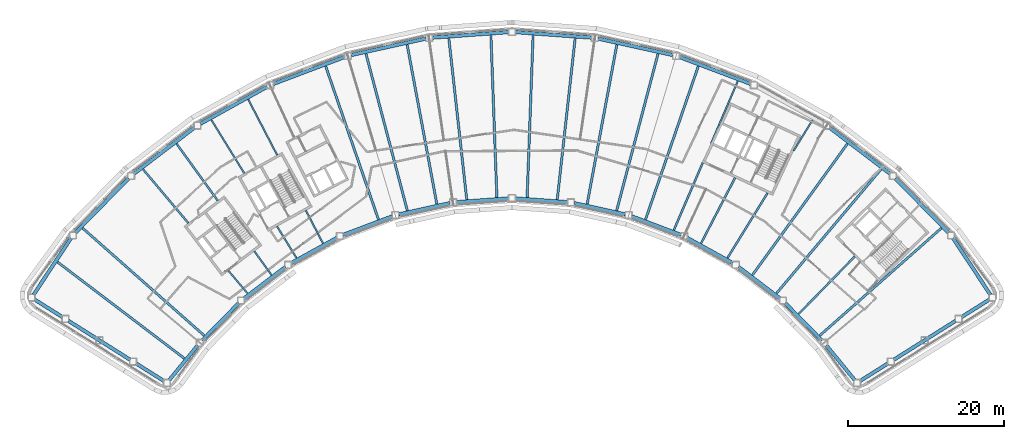
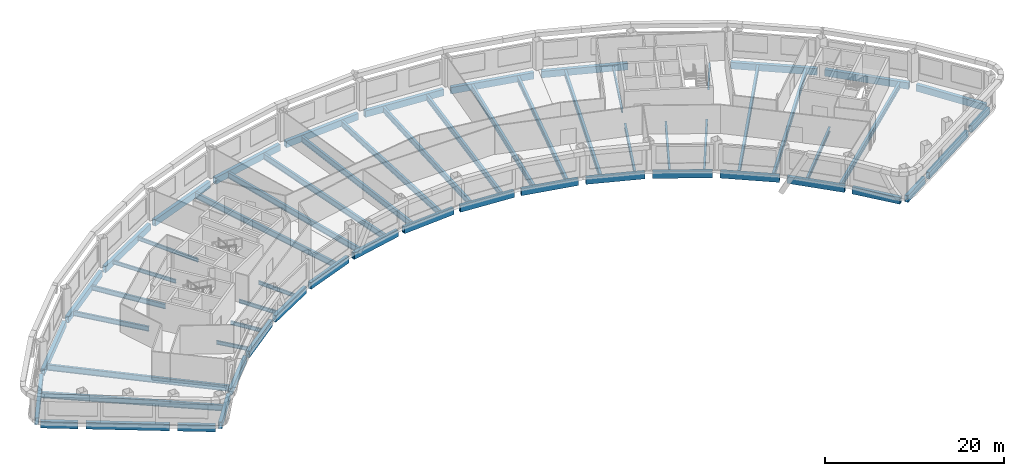
# One storey, part 3 of 12: 62 beams.
"""IFC4 building model written with IfcOpenShell, lengths in metres."""

from ifc_helpers import new_model, si_unit, direction, frame, origin, origin_2d, place, context, subcontext, project, spatial, hollow_rectangle, i_section, extrude, material, material_profile, profile_set, type_object, element, save


model = new_model("IFC4")

# Units and contexts
model_context = context("Model", 3, precision=1e-05, world=origin(), true_north=direction((0.0, 1.0)))
body_context = subcontext(model_context, "Body", "Model", "MODEL_VIEW")
ifc_project = project(units=[si_unit("LENGTHUNIT", "METRE"), si_unit("AREAUNIT", "SQUARE_METRE"), si_unit("VOLUMEUNIT", "CUBIC_METRE"), si_unit("PLANEANGLEUNIT", "RADIAN"), si_unit("MASSUNIT", "GRAM", prefix="KILO")], contexts=[model_context])

# Site, building, storey
site_placement = place(None, origin())
site = spatial("IfcSite", under=ifc_project, at=site_placement, CompositionType="ELEMENT")
building_placement = place(site_placement, origin())
building = spatial("IfcBuilding", under=site, at=building_placement, Name="Tuul Gate Civic Tower", CompositionType="ELEMENT")
storey_placement = place(building_placement, frame((0.0, 0.0, 176.300048828125)))
storey = spatial("IfcBuildingStorey", under=building, at=storey_placement, Name="Level 40", CompositionType="ELEMENT", Elevation=176.300048828125)

# Beams
ifc_material_1 = material(Name="Steel S355", Category="steel")
ifc_material_profile_1 = material_profile(ifc_material_1, i_section(OverallWidth=0.199951171875, OverallDepth=0.5, WebThickness=0.010009765625, FlangeThickness=0.01611328125, at=origin_2d()), Name="PG500x200x10x16")
ifc_profile_set_1 = profile_set([ifc_material_profile_1], Name="Steel S355")
beam_type_1 = type_object("IfcBeamType", Name="STR-FLOOR BEAM-PG500x200x10x16", PredefinedType="BEAM", material=ifc_profile_set_1)
beam_1_placement = place(storey_placement, frame((37.12646484375, -1.677734375, -0.650146484375), z_axis=(0.524844644299, 0.85119803768, 0.0), x_axis=(-0.85119803768, 0.524844644299, 0.0)))
element("IfcBeam", 1, at=beam_1_placement, inside=storey, type_object=beam_type_1, Name="Floor beam", PredefinedType="BEAM", context=body_context, shape_type="SweptSolid", body=[
    extrude(i_section(OverallWidth=0.199951171875, OverallDepth=0.5, WebThickness=0.010009765625, FlangeThickness=0.01611328125, at=origin_2d()), origin(), (0.0, 0.0, 1.0), 4.683837890625),
])
beam_2_placement = place(storey_placement, frame((26.525390625, -0.75048828125, -0.650146484375), z_axis=(0.394205580746, 0.919022284882, 0.0), x_axis=(-0.919022284882, 0.394205580746, 0.0)))
element("IfcBeam", 2, at=beam_2_placement, inside=storey, type_object=beam_type_1, Name="Floor beam", PredefinedType="BEAM", context=body_context, shape_type="SweptSolid", body=[
    extrude(i_section(OverallWidth=0.199951171875, OverallDepth=0.5, WebThickness=0.010009765625, FlangeThickness=0.01611328125, at=origin_2d()), origin(), (0.0, 0.0, 1.0), 8.748046875),
])
beam_3_placement = place(storey_placement, frame((-23.281494140625, -13.532958984375, -0.650146484375), z_axis=(-0.460788847224, 0.887509796157, 0.0), x_axis=(-0.887509796157, -0.460788847224, 0.0)))
element("IfcBeam", 3, at=beam_3_placement, inside=storey, type_object=beam_type_1, Name="Floor beam", PredefinedType="BEAM", context=body_context, shape_type="SweptSolid", body=[
    extrude(i_section(OverallWidth=0.199951171875, OverallDepth=0.5, WebThickness=0.010009765625, FlangeThickness=0.01611328125, at=origin_2d()), origin(), (0.0, 0.0, 1.0), 4.75830078125),
])
beam_4_placement = place(storey_placement, frame((-29.16162109375, -2.207275390625, -0.650146484375), z_axis=(-0.460778504814, 0.887515165787, 0.0), x_axis=(-0.887515165787, -0.460778504814, 0.0)))
element("IfcBeam", 4, at=beam_4_placement, inside=storey, type_object=beam_type_1, Name="Floor beam", PredefinedType="BEAM", context=body_context, shape_type="SweptSolid", body=[
    extrude(i_section(OverallWidth=0.199951171875, OverallDepth=0.5, WebThickness=0.010009765625, FlangeThickness=0.01611328125, at=origin_2d()), origin(), (0.0, 0.0, 1.0), 8.046630859375),
])
beam_5_placement = place(storey_placement, frame((-26.676513671875, -15.414306640625, -0.650146484375), z_axis=(-0.524841029393, 0.851200266603, 0.0), x_axis=(-0.851200266603, -0.524841029393, 0.0)))
element("IfcBeam", 5, at=beam_5_placement, inside=storey, type_object=beam_type_1, Name="Floor beam", PredefinedType="BEAM", context=body_context, shape_type="SweptSolid", body=[
    extrude(i_section(OverallWidth=0.199951171875, OverallDepth=0.5, WebThickness=0.010009765625, FlangeThickness=0.01611328125, at=origin_2d()), origin(), (0.0, 0.0, 1.0), 4.761474609375),
])
beam_6_placement = place(storey_placement, frame((-33.378662109375, -4.544677734375, -0.650146484375), z_axis=(-0.52487369229, 0.851180126143, 0.0), x_axis=(-0.851180126143, -0.52487369229, 0.0)))
element("IfcBeam", 6, at=beam_6_placement, inside=storey, type_object=beam_type_1, Name="Floor beam", PredefinedType="BEAM", context=body_context, shape_type="SweptSolid", body=[
    extrude(i_section(OverallWidth=0.199951171875, OverallDepth=0.5, WebThickness=0.010009765625, FlangeThickness=0.01611328125, at=origin_2d()), origin(), (0.0, 0.0, 1.0), 8.052001953125),
])
beam_7_placement = place(storey_placement, frame((-29.880126953125, -17.60546875, -0.650146484375), z_axis=(-0.586071028006, 0.810259680678, 0.0), x_axis=(-0.810259680678, -0.586071028006, 0.0)))
element("IfcBeam", 7, at=beam_7_placement, inside=storey, type_object=beam_type_1, Name="Floor beam", PredefinedType="BEAM", context=body_context, shape_type="SweptSolid", body=[
    extrude(i_section(OverallWidth=0.199951171875, OverallDepth=0.5, WebThickness=0.010009765625, FlangeThickness=0.01611328125, at=origin_2d()), origin(), (0.0, 0.0, 1.0), 3.776611328125),
])
beam_8_placement = place(storey_placement, frame((-32.96826171875, -19.95703125, -0.650146484375), z_axis=(-0.644139723265, 0.764907848641, 0.0), x_axis=(-0.764907848641, -0.644139723265, 0.0)))
element("IfcBeam", 8, at=beam_8_placement, inside=storey, type_object=beam_type_1, Name="Floor beam", PredefinedType="BEAM", context=body_context, shape_type="SweptSolid", body=[
    extrude(i_section(OverallWidth=0.199951171875, OverallDepth=0.5, WebThickness=0.010009765625, FlangeThickness=0.01611328125, at=origin_2d()), origin(), (0.0, 0.0, 1.0), 3.7802734375),
])
ifc_material_2 = material(Name="Steel S355", Category="steel")
ifc_material_profile_2 = material_profile(ifc_material_2, i_section(OverallWidth=0.25, OverallDepth=0.64990234375, WebThickness=0.011962890625, FlangeThickness=0.02001953125, at=origin_2d()), Name="PG650x250x12x20")
ifc_profile_set_2 = profile_set([ifc_material_profile_2], Name="Steel S355")
beam_type_2 = type_object("IfcBeamType", Name="STR-FLOOR BEAM-PG650x250x12x20", PredefinedType="BEAM", material=ifc_profile_set_2)
beam_9_placement = place(storey_placement, frame((37.78857421875, -22.6025390625, -0.72509765625), z_axis=(0.698688167973, 0.715426337182, 0.0), x_axis=(-0.715426337182, 0.698688167973, 0.0)))
element("IfcBeam", 9, at=beam_9_placement, inside=storey, type_object=beam_type_2, Name="Floor beam", PredefinedType="BEAM", context=body_context, shape_type="SweptSolid", body=[
    extrude(i_section(OverallWidth=0.25, OverallDepth=0.64990234375, WebThickness=0.011962890625, FlangeThickness=0.02001953125, at=origin_2d()), origin(), (0.0, 0.0, 1.0), 10.297607421875),
])
beam_10_placement = place(storey_placement, frame((28.656005859375, -15.41455078125, -0.72509765625), z_axis=(0.524868843882, 0.851183115858, 0.0), x_axis=(-0.851183115858, 0.524868843882, 0.0)))
element("IfcBeam", 10, at=beam_10_placement, inside=storey, type_object=beam_type_2, Name="Floor beam", PredefinedType="BEAM", context=body_context, shape_type="SweptSolid", body=[
    extrude(i_section(OverallWidth=0.25, OverallDepth=0.64990234375, WebThickness=0.011962890625, FlangeThickness=0.02001953125, at=origin_2d()), origin(), (0.0, 0.0, 1.0), 9.79736328125),
])
beam_11_placement = place(storey_placement, frame((25.261474609375, -13.532958984375, -0.72509765625), z_axis=(0.460764890878, 0.887522233713, 0.0), x_axis=(-0.887522233713, 0.460764890878, 0.0)))
element("IfcBeam", 11, at=beam_11_placement, inside=storey, type_object=beam_type_2, Name="Floor beam", PredefinedType="BEAM", context=body_context, shape_type="SweptSolid", body=[
    extrude(i_section(OverallWidth=0.25, OverallDepth=0.64990234375, WebThickness=0.011962890625, FlangeThickness=0.02001953125, at=origin_2d()), origin(), (0.0, 0.0, 1.0), 9.46923828125),
])
beam_12_placement = place(storey_placement, frame((21.7666015625, -11.84521484375, -0.72509765625), z_axis=(0.394179109601, 0.919033638968, 0.0), x_axis=(-0.919033638968, 0.394179109601, 0.0)))
element("IfcBeam", 12, at=beam_12_placement, inside=storey, type_object=beam_type_2, Name="Floor beam", PredefinedType="BEAM", context=body_context, shape_type="SweptSolid", body=[
    extrude(i_section(OverallWidth=0.25, OverallDepth=0.64990234375, WebThickness=0.011962890625, FlangeThickness=0.02001953125, at=origin_2d()), origin(), (0.0, 0.0, 1.0), 9.41259765625),
])
beam_13_placement = place(storey_placement, frame((-36.783447265625, -8.061767578125, -0.72509765625), z_axis=(-0.586088809685, 0.810246818668, 0.0), x_axis=(-0.810246818668, -0.586088809685, 0.0)))
element("IfcBeam", 13, at=beam_13_placement, inside=storey, type_object=beam_type_2, Name="Floor beam", PredefinedType="BEAM", context=body_context, shape_type="SweptSolid", body=[
    extrude(i_section(OverallWidth=0.25, OverallDepth=0.64990234375, WebThickness=0.011962890625, FlangeThickness=0.02001953125, at=origin_2d()), origin(), (0.0, 0.0, 1.0), 9.02685546875),
])
beam_14_placement = place(storey_placement, frame((-40.5625, -10.93896484375, -0.72509765625), z_axis=(-0.644130753202, 0.764915402368, 0.0), x_axis=(-0.764915402368, -0.644130753202, 0.0)))
element("IfcBeam", 14, at=beam_14_placement, inside=storey, type_object=beam_type_2, Name="Floor beam", PredefinedType="BEAM", context=body_context, shape_type="SweptSolid", body=[
    extrude(i_section(OverallWidth=0.25, OverallDepth=0.64990234375, WebThickness=0.011962890625, FlangeThickness=0.02001953125, at=origin_2d()), origin(), (0.0, 0.0, 1.0), 9.03515625),
])
ifc_material_3 = material(Name="Steel S355", Category="steel")
ifc_material_profile_3 = material_profile(ifc_material_3, i_section(OverallWidth=0.300048828125, OverallDepth=0.800048828125, WebThickness=0.013916015625, FlangeThickness=0.02490234375, at=origin_2d()), Name="PG800x300x14x25")
ifc_profile_set_3 = profile_set([ifc_material_profile_3], Name="Steel S355")
beam_type_3 = type_object("IfcBeamType", Name="STR-FLOOR BEAM-PG800x300x14x25", PredefinedType="BEAM", material=ifc_profile_set_3)
beam_15_placement = place(storey_placement, frame((40.505615234375, -25.375, -0.800048828125), z_axis=(0.749453243269, 0.662057275584, 0.0), x_axis=(-0.662057275584, 0.749453243269, 0.0)))
element("IfcBeam", 15, at=beam_15_placement, inside=storey, type_object=beam_type_3, Name="Floor beam", PredefinedType="BEAM", context=body_context, shape_type="SweptSolid", body=[
    extrude(i_section(OverallWidth=0.300048828125, OverallDepth=0.800048828125, WebThickness=0.013916015625, FlangeThickness=0.02490234375, at=origin_2d()), origin(), (0.0, 0.0, 1.0), 20.828369140625),
])
beam_16_placement = place(storey_placement, frame((34.9482421875, -19.95703125, -0.800048828125), z_axis=(0.644134662718, 0.76491211017, 0.0), x_axis=(-0.76491211017, 0.644134662718, 0.0)))
element("IfcBeam", 16, at=beam_16_placement, inside=storey, type_object=beam_type_3, Name="Floor beam", PredefinedType="BEAM", context=body_context, shape_type="SweptSolid", body=[
    extrude(i_section(OverallWidth=0.300048828125, OverallDepth=0.800048828125, WebThickness=0.013916015625, FlangeThickness=0.02490234375, at=origin_2d()), origin(), (0.0, 0.0, 1.0), 20.824462890625),
])
beam_17_placement = place(storey_placement, frame((31.859619140625, -17.605712890625, -0.800048828125), z_axis=(0.586088482084, 0.810247055637, 0.0), x_axis=(-0.810247055637, 0.586088482084, 0.0)))
element("IfcBeam", 17, at=beam_17_placement, inside=storey, type_object=beam_type_3, Name="Floor beam", PredefinedType="BEAM", context=body_context, shape_type="SweptSolid", body=[
    extrude(i_section(OverallWidth=0.300048828125, OverallDepth=0.800048828125, WebThickness=0.013916015625, FlangeThickness=0.02490234375, at=origin_2d()), origin(), (0.0, 0.0, 1.0), 20.805908203125),
])
beam_18_placement = place(storey_placement, frame((18.13623046875, -10.472412109375, -0.800048828125), z_axis=(0.325483363772, 0.945547767121, 0.0), x_axis=(-0.945547767121, 0.325483363772, 0.0)))
element("IfcBeam", 18, at=beam_18_placement, inside=storey, type_object=beam_type_3, Name="Floor beam", PredefinedType="BEAM", context=body_context, shape_type="SweptSolid", body=[
    extrude(i_section(OverallWidth=0.300048828125, OverallDepth=0.800048828125, WebThickness=0.013916015625, FlangeThickness=0.02490234375, at=origin_2d()), origin(), (0.0, 0.0, 1.0), 20.8095703125),
])
beam_19_placement = place(storey_placement, frame((14.428466796875, -9.325927734375, -0.800048828125), z_axis=(0.255004720301, 0.96693980817, 0.0), x_axis=(-0.96693980817, 0.255004720301, 0.0)))
element("IfcBeam", 19, at=beam_19_placement, inside=storey, type_object=beam_type_3, Name="Floor beam", PredefinedType="BEAM", context=body_context, shape_type="SweptSolid", body=[
    extrude(i_section(OverallWidth=0.300048828125, OverallDepth=0.800048828125, WebThickness=0.013916015625, FlangeThickness=0.02490234375, at=origin_2d()), origin(), (0.0, 0.0, 1.0), 20.817626953125),
])
beam_20_placement = place(storey_placement, frame((10.638427734375, -8.49072265625, -0.800048828125), z_axis=(0.183147342328, 0.98308547492, 0.0), x_axis=(-0.98308547492, 0.183147342328, 0.0)))
element("IfcBeam", 20, at=beam_20_placement, inside=storey, type_object=beam_type_3, Name="Floor beam", PredefinedType="BEAM", context=body_context, shape_type="SweptSolid", body=[
    extrude(i_section(OverallWidth=0.300048828125, OverallDepth=0.800048828125, WebThickness=0.013916015625, FlangeThickness=0.02490234375, at=origin_2d()), origin(), (0.0, 0.0, 1.0), 20.811279296875),
])
beam_21_placement = place(storey_placement, frame((6.80126953125, -7.91064453125, -0.800048828125), z_axis=(0.1102757583, 0.993901029847, 0.0), x_axis=(-0.993901029847, 0.1102757583, 0.0)))
element("IfcBeam", 21, at=beam_21_placement, inside=storey, type_object=beam_type_3, Name="Floor beam", PredefinedType="BEAM", context=body_context, shape_type="SweptSolid", body=[
    extrude(i_section(OverallWidth=0.300048828125, OverallDepth=0.800048828125, WebThickness=0.013916015625, FlangeThickness=0.02490234375, at=origin_2d()), origin(), (0.0, 0.0, 1.0), 20.815185546875),
])
for number, where, z_axis, x_axis, name in (
    (22, (2.930419921875, -7.630126953125, -0.800048828125), (0.036820332995, 0.99932190163, 0.0), (-0.99932190163, 0.036820332995, 0.0), "Floor beam"),
    (23, (-0.950439453125, -7.630126953125, -0.800048828125), (-0.036832047042, 0.999321469954, 0.0), (-0.999321469954, -0.036832047042, 0.0), "Floor beam"),
):
    element("IfcBeam", number, at=place(storey_placement, frame(where, z_axis=z_axis, x_axis=x_axis)), inside=storey, type_object=beam_type_3, Name=name, PredefinedType="BEAM", context=body_context, shape_type="SweptSolid", body=[
        extrude(i_section(OverallWidth=0.300048828125, OverallDepth=0.800048828125, WebThickness=0.013916015625, FlangeThickness=0.02490234375, at=origin_2d()), origin(), (0.0, 0.0, 1.0), 20.8134765625),
    ])
beam_22_placement = place(storey_placement, frame((-4.8212890625, -7.91064453125, -0.800048828125), z_axis=(-0.110287344613, 0.993899744249, 0.0), x_axis=(-0.993899744249, -0.110287344613, 0.0)))
element("IfcBeam", 24, at=beam_22_placement, inside=storey, type_object=beam_type_3, Name="Floor beam", PredefinedType="BEAM", context=body_context, shape_type="SweptSolid", body=[
    extrude(i_section(OverallWidth=0.300048828125, OverallDepth=0.800048828125, WebThickness=0.013916015625, FlangeThickness=0.02490234375, at=origin_2d()), origin(), (0.0, 0.0, 1.0), 20.815185546875),
])
beam_23_placement = place(storey_placement, frame((-8.658447265625, -8.49072265625, -0.800048828125), z_axis=(-0.183145230157, 0.983085868412, 0.0), x_axis=(-0.983085868412, -0.183145230157, 0.0)))
element("IfcBeam", 25, at=beam_23_placement, inside=storey, type_object=beam_type_3, Name="Floor beam", PredefinedType="BEAM", context=body_context, shape_type="SweptSolid", body=[
    extrude(i_section(OverallWidth=0.300048828125, OverallDepth=0.800048828125, WebThickness=0.013916015625, FlangeThickness=0.02490234375, at=origin_2d()), origin(), (0.0, 0.0, 1.0), 20.8115234375),
])
beam_24_placement = place(storey_placement, frame((-12.44873046875, -9.325927734375, -0.800048828125), z_axis=(-0.255004720301, 0.96693980817, 0.0), x_axis=(-0.96693980817, -0.255004720301, 0.0)))
element("IfcBeam", 26, at=beam_24_placement, inside=storey, type_object=beam_type_3, Name="Floor beam", PredefinedType="BEAM", context=body_context, shape_type="SweptSolid", body=[
    extrude(i_section(OverallWidth=0.300048828125, OverallDepth=0.800048828125, WebThickness=0.013916015625, FlangeThickness=0.02490234375, at=origin_2d()), origin(), (0.0, 0.0, 1.0), 20.817626953125),
])
beam_25_placement = place(storey_placement, frame((-16.15625, -10.47265625, -0.800048828125), z_axis=(-0.325493852911, 0.945544156408, 0.0), x_axis=(-0.945544156408, -0.325493852911, 0.0)))
element("IfcBeam", 27, at=beam_25_placement, inside=storey, type_object=beam_type_3, Name="Floor beam", PredefinedType="BEAM", context=body_context, shape_type="SweptSolid", body=[
    extrude(i_section(OverallWidth=0.300048828125, OverallDepth=0.800048828125, WebThickness=0.013916015625, FlangeThickness=0.02490234375, at=origin_2d()), origin(), (0.0, 0.0, 1.0), 20.809814453125),
])
beam_26_placement = place(storey_placement, frame((-38.525634765625, -25.375, -0.800048828125), z_axis=(-0.749453243269, 0.662057275584, 0.0), x_axis=(-0.662057275584, -0.749453243269, 0.0)))
element("IfcBeam", 28, at=beam_26_placement, inside=storey, type_object=beam_type_3, Name="Floor beam", PredefinedType="BEAM", context=body_context, shape_type="SweptSolid", body=[
    extrude(i_section(OverallWidth=0.300048828125, OverallDepth=0.800048828125, WebThickness=0.013916015625, FlangeThickness=0.02490234375, at=origin_2d()), origin(), (0.0, 0.0, 1.0), 20.828369140625),
])
beam_27_placement = place(storey_placement, frame((-41.064697265625, -28.31982421875, -0.800048828125), z_axis=(-0.796156676215, 0.60509052787, 0.0), x_axis=(-0.60509052787, -0.796156676215, 0.0)))
element("IfcBeam", 29, at=beam_27_placement, inside=storey, type_object=beam_type_3, Name="Floor beam", PredefinedType="BEAM", context=body_context, shape_type="SweptSolid", body=[
    extrude(i_section(OverallWidth=0.300048828125, OverallDepth=0.800048828125, WebThickness=0.013916015625, FlangeThickness=0.02490234375, at=origin_2d()), origin(), (0.0, 0.0, 1.0), 20.46240234375),
])
ifc_material_4 = material(Name="Steel S355", Category="steel")
ifc_material_profile_4 = material_profile(ifc_material_4, hollow_rectangle(XDim=0.449951171875, YDim=0.89990234375, WallThickness=0.02490234375, at=origin_2d()), Name="BOX900x450x25")
ifc_profile_set_4 = profile_set([ifc_material_profile_4], Name="Steel S355")
beam_type_4 = type_object("IfcBeamType", Name="STR-SPANDREL BEAM-BOX900x450x25", PredefinedType="BEAM", material=ifc_profile_set_4)
beam_28_placement = place(storey_placement, frame((62.412841796875, -20.1376953125, -0.85009765625), z_axis=(-0.551603333342, 0.834106565521, 0.0), x_axis=(-0.834106565521, -0.551603333342, 0.0)))
element("IfcBeam", 30, at=beam_28_placement, inside=storey, type_object=beam_type_4, Name="Spandrel beam", PredefinedType="BEAM", context=body_context, shape_type="SweptSolid", body=[
    extrude(hollow_rectangle(XDim=0.449951171875, YDim=0.89990234375, WallThickness=0.02490234375, at=origin_2d()), origin(), (0.0, 0.0, 1.0), 8.706787109375),
])
beam_29_placement = place(storey_placement, frame((57.046875, -12.1787109375, -0.85009765625), z_axis=(-0.700043201451, 0.7141004944, 0.0), x_axis=(-0.7141004944, -0.700043201451, 0.0)))
element("IfcBeam", 31, at=beam_29_placement, inside=storey, type_object=beam_type_4, Name="Spandrel beam", PredefinedType="BEAM", context=body_context, shape_type="SweptSolid", body=[
    extrude(hollow_rectangle(XDim=0.449951171875, YDim=0.89990234375, WallThickness=0.02490234375, at=origin_2d()), origin(), (0.0, 0.0, 1.0), 9.77783203125),
])
beam_30_placement = place(storey_placement, frame((49.529052734375, -4.602294921875, -0.85009765625), z_axis=(-0.795643188576, 0.605765562303, 0.0), x_axis=(-0.605765562303, -0.795643188576, 0.0)))
element("IfcBeam", 32, at=beam_30_placement, inside=storey, type_object=beam_type_4, Name="Spandrel beam", PredefinedType="BEAM", context=body_context, shape_type="SweptSolid", body=[
    extrude(hollow_rectangle(XDim=0.449951171875, YDim=0.89990234375, WallThickness=0.02490234375, at=origin_2d()), origin(), (0.0, 0.0, 1.0), 9.777099609375),
])
beam_31_placement = place(storey_placement, frame((31.633056640625, 6.92919921875, -0.85009765625), z_axis=(-0.935371339929, 0.353667154878, 0.0), x_axis=(-0.353667154878, -0.935371339929, 0.0)))
element("IfcBeam", 33, at=beam_31_placement, inside=storey, type_object=beam_type_4, Name="Spandrel beam", PredefinedType="BEAM", context=body_context, shape_type="SweptSolid", body=[
    extrude(hollow_rectangle(XDim=0.449951171875, YDim=0.89990234375, WallThickness=0.02490234375, at=origin_2d()), origin(), (0.0, 0.0, 1.0), 9.77685546875),
])
beam_32_placement = place(storey_placement, frame((21.62744140625, 10.642822265625, -0.85009765625), z_axis=(-0.976570324129, 0.215198517722, 0.0), x_axis=(-0.215198517722, -0.976570324129, 0.0)))
element("IfcBeam", 34, at=beam_32_placement, inside=storey, type_object=beam_type_4, Name="Spandrel beam", PredefinedType="BEAM", context=body_context, shape_type="SweptSolid", body=[
    extrude(hollow_rectangle(XDim=0.449951171875, YDim=0.89990234375, WallThickness=0.02490234375, at=origin_2d()), origin(), (0.0, 0.0, 1.0), 9.778076171875),
])
beam_33_placement = place(storey_placement, frame((11.190185546875, 12.87646484375, -0.85009765625), z_axis=(-0.997381821188, 0.07231530104, 0.0), x_axis=(-0.07231530104, -0.997381821188, 0.0)))
element("IfcBeam", 35, at=beam_33_placement, inside=storey, type_object=beam_type_4, Name="Spandrel beam", PredefinedType="BEAM", context=body_context, shape_type="SweptSolid", body=[
    extrude(hollow_rectangle(XDim=0.449951171875, YDim=0.89990234375, WallThickness=0.02490234375, at=origin_2d()), origin(), (0.0, 0.0, 1.0), 9.777099609375),
])
beam_34_placement = place(storey_placement, frame((0.541259765625, 13.58349609375, -0.85009765625), z_axis=(-0.997382343448, -0.072308097597, 0.0), x_axis=(0.072308097597, -0.997382343448, 0.0)))
element("IfcBeam", 36, at=beam_34_placement, inside=storey, type_object=beam_type_4, Name="Spandrel beam", PredefinedType="BEAM", context=body_context, shape_type="SweptSolid", body=[
    extrude(hollow_rectangle(XDim=0.449951171875, YDim=0.89990234375, WallThickness=0.02490234375, at=origin_2d()), origin(), (0.0, 0.0, 1.0), 9.778076171875),
])
for number, where, z_axis, x_axis, name in (
    (37, (-10.099365234375, 12.7470703125, -0.85009765625), (-0.976565698355, -0.215219508403, 0.0), (0.215219508403, -0.976565698355, 0.0), "Spandrel beam"),
    (38, (-20.5078125, 10.386962890625, -0.85009765625), (-0.935374463229, -0.35365889433, 0.0), (0.35365889433, -0.935374463229, 0.0), "Spandrel beam"),
    (39, (-30.467529296875, 6.5517578125, -0.85009765625), (-0.874595083596, -0.484854039634, 0.0), (0.484854039634, -0.874595083596, 0.0), "Spandrel beam"),
):
    element("IfcBeam", number, at=place(storey_placement, frame(where, z_axis=z_axis, x_axis=x_axis)), inside=storey, type_object=beam_type_4, Name=name, PredefinedType="BEAM", context=body_context, shape_type="SweptSolid", body=[
        extrude(hollow_rectangle(XDim=0.449951171875, YDim=0.89990234375, WallThickness=0.02490234375, at=origin_2d()), origin(), (0.0, 0.0, 1.0), 9.777099609375),
    ])
beam_35_placement = place(storey_placement, frame((-39.77001953125, 1.3203125, -0.85009765625), z_axis=(-0.795667802621, -0.605733231606, 0.0), x_axis=(0.605733231606, -0.795667802621, 0.0)))
element("IfcBeam", 40, at=beam_35_placement, inside=storey, type_object=beam_type_4, Name="Spandrel beam", PredefinedType="BEAM", context=body_context, shape_type="SweptSolid", body=[
    extrude(hollow_rectangle(XDim=0.449951171875, YDim=0.89990234375, WallThickness=0.02490234375, at=origin_2d()), origin(), (0.0, 0.0, 1.0), 9.778076171875),
])
beam_36_placement = place(storey_placement, frame((-48.222900390625, -5.1962890625, -0.85009765625), z_axis=(-0.699992266311, -0.714150423304, 0.0), x_axis=(0.714150423304, -0.699992266311, 0.0)))
element("IfcBeam", 41, at=beam_36_placement, inside=storey, type_object=beam_type_4, Name="Spandrel beam", PredefinedType="BEAM", context=body_context, shape_type="SweptSolid", body=[
    extrude(hollow_rectangle(XDim=0.449951171875, YDim=0.89990234375, WallThickness=0.02490234375, at=origin_2d()), origin(), (0.0, 0.0, 1.0), 9.77734375),
])
beam_37_placement = place(storey_placement, frame((-55.630126953125, -12.875244140625, -0.85009765625), z_axis=(-0.551603333342, -0.834106565521, 0.0), x_axis=(0.834106565521, -0.551603333342, 0.0)))
element("IfcBeam", 42, at=beam_37_placement, inside=storey, type_object=beam_type_4, Name="Spandrel beam", PredefinedType="BEAM", context=body_context, shape_type="SweptSolid", body=[
    extrude(hollow_rectangle(XDim=0.449951171875, YDim=0.89990234375, WallThickness=0.02490234375, at=origin_2d()), origin(), (0.0, 0.0, 1.0), 8.706787109375),
])
beam_38_placement = place(storey_placement, frame((-60.30029296875, -20.752685546875, -0.85009765625), z_axis=(0.846210678029, -0.53284846663, 0.0), x_axis=(0.53284846663, 0.846210678029, 0.0)))
element("IfcBeam", 43, at=beam_38_placement, inside=storey, type_object=beam_type_4, Name="Spandrel beam", PredefinedType="BEAM", context=body_context, shape_type="SweptSolid", body=[
    extrude(hollow_rectangle(XDim=0.449951171875, YDim=0.89990234375, WallThickness=0.02490234375, at=origin_2d()), origin(), (0.0, 0.0, 1.0), 4.231201171875),
])
beam_39_placement = place(storey_placement, frame((-55.958251953125, -23.48681640625, -0.85009765625), z_axis=(0.846197569515, -0.532869283545, 0.0), x_axis=(0.532869283545, 0.846197569515, 0.0)))
element("IfcBeam", 44, at=beam_39_placement, inside=storey, type_object=beam_type_4, Name="Spandrel beam", PredefinedType="BEAM", context=body_context, shape_type="SweptSolid", body=[
    extrude(hollow_rectangle(XDim=0.449951171875, YDim=0.89990234375, WallThickness=0.02490234375, at=origin_2d()), origin(), (0.0, 0.0, 1.0), 9.363525390625),
])
beam_40_placement = place(storey_placement, frame((-47.273193359375, -28.955810546875, -0.85009765625), z_axis=(0.846181780982, -0.532894354947, 0.0), x_axis=(0.532894354947, 0.846181780982, 0.0)))
element("IfcBeam", 45, at=beam_40_placement, inside=storey, type_object=beam_type_4, Name="Spandrel beam", PredefinedType="BEAM", context=body_context, shape_type="SweptSolid", body=[
    extrude(hollow_rectangle(XDim=0.449951171875, YDim=0.89990234375, WallThickness=0.02490234375, at=origin_2d()), origin(), (0.0, 0.0, 1.0), 4.232421875),
])
beam_41_placement = place(storey_placement, frame((-43.025634765625, -31.10302734375, -0.85009765625), z_axis=(0.63441351957, 0.772993846151, 0.0), x_axis=(-0.772993846151, 0.63441351957, 0.0)))
element("IfcBeam", 46, at=beam_41_placement, inside=storey, type_object=beam_type_4, Name="Spandrel beam", PredefinedType="BEAM", context=body_context, shape_type="SweptSolid", body=[
    extrude(hollow_rectangle(XDim=0.449951171875, YDim=0.89990234375, WallThickness=0.02490234375, at=origin_2d()), origin(), (0.0, 0.0, 1.0), 5.751953125),
])
beam_42_placement = place(storey_placement, frame((-38.776123046875, -25.987548828125, -0.85009765625), z_axis=(0.699975106634, 0.714167242383, 0.0), x_axis=(-0.714167242383, 0.699975106634, 0.0)))
element("IfcBeam", 47, at=beam_42_placement, inside=storey, type_object=beam_type_4, Name="Spandrel beam", PredefinedType="BEAM", context=body_context, shape_type="SweptSolid", body=[
    extrude(hollow_rectangle(XDim=0.449951171875, YDim=0.89990234375, WallThickness=0.02490234375, at=origin_2d()), origin(), (0.0, 0.0, 1.0), 6.69189453125),
])
for number, where, z_axis, x_axis, name in (
    (48, (-33.4189453125, -20.614501953125, -0.85009765625), (0.795605051583, 0.605815650091, 0.0), (-0.605815650091, 0.795605051583, 0.0), "Spandrel beam"),
    (49, (-27.343505859375, -16.06982421875, -0.85009765625), (0.87466619377, 0.48472574666, 0.0), (-0.48472574666, 0.87466619377, 0.0), "Spandrel beam"),
):
    element("IfcBeam", number, at=place(storey_placement, frame(where, z_axis=z_axis, x_axis=x_axis)), inside=storey, type_object=beam_type_4, Name=name, PredefinedType="BEAM", context=body_context, shape_type="SweptSolid", body=[
        extrude(hollow_rectangle(XDim=0.449951171875, YDim=0.89990234375, WallThickness=0.02490234375, at=origin_2d()), origin(), (0.0, 0.0, 1.0), 6.691650390625),
    ])
beam_43_placement = place(storey_placement, frame((-20.676025390625, -12.44873046875, -0.85009765625), z_axis=(0.935376636167, 0.353653147184, 0.0), x_axis=(-0.353653147184, 0.935376636167, 0.0)))
element("IfcBeam", 50, at=beam_43_placement, inside=storey, type_object=beam_type_4, Name="Spandrel beam", PredefinedType="BEAM", context=body_context, shape_type="SweptSolid", body=[
    extrude(hollow_rectangle(XDim=0.449951171875, YDim=0.89990234375, WallThickness=0.02490234375, at=origin_2d()), origin(), (0.0, 0.0, 1.0), 6.69140625),
])
beam_44_placement = place(storey_placement, frame((-13.556640625, -9.826171875, -0.85009765625), z_axis=(0.976559873442, 0.215245937437, 0.0), x_axis=(-0.215245937437, 0.976559873442, 0.0)))
element("IfcBeam", 51, at=beam_44_placement, inside=storey, type_object=beam_type_4, Name="Spandrel beam", PredefinedType="BEAM", context=body_context, shape_type="SweptSolid", body=[
    extrude(hollow_rectangle(XDim=0.449951171875, YDim=0.89990234375, WallThickness=0.02490234375, at=origin_2d()), origin(), (0.0, 0.0, 1.0), 6.692138671875),
])
beam_45_placement = place(storey_placement, frame((-6.133056640625, -8.25634765625, -0.85009765625), z_axis=(0.997382203544, 0.07231002734, 0.0), x_axis=(-0.07231002734, 0.997382203544, 0.0)))
element("IfcBeam", 52, at=beam_45_placement, inside=storey, type_object=beam_type_4, Name="Spandrel beam", PredefinedType="BEAM", context=body_context, shape_type="SweptSolid", body=[
    extrude(hollow_rectangle(XDim=0.449951171875, YDim=0.89990234375, WallThickness=0.02490234375, at=origin_2d()), origin(), (0.0, 0.0, 1.0), 6.69189453125),
])
for number, where, z_axis, x_axis, name in (
    (53, (1.438720703125, -7.7724609375, -0.85009765625), (0.997382394296, -0.072307396229, 0.0), (0.072307396229, 0.997382394296, 0.0), "Spandrel beam"),
    (54, (9.00146484375, -8.3857421875, -0.85009765625), (0.976559873442, -0.215245937437, 0.0), (0.215245937437, 0.976559873442, 0.0), "Spandrel beam"),
):
    element("IfcBeam", number, at=place(storey_placement, frame(where, z_axis=z_axis, x_axis=x_axis)), inside=storey, type_object=beam_type_4, Name=name, PredefinedType="BEAM", context=body_context, shape_type="SweptSolid", body=[
        extrude(hollow_rectangle(XDim=0.449951171875, YDim=0.89990234375, WallThickness=0.02490234375, at=origin_2d()), origin(), (0.0, 0.0, 1.0), 6.692138671875),
    ])
beam_46_placement = place(storey_placement, frame((16.39697265625, -10.082275390625, -0.85009765625), z_axis=(0.935376636167, -0.353653147184, 0.0), x_axis=(0.353653147184, 0.935376636167, 0.0)))
element("IfcBeam", 55, at=beam_46_placement, inside=storey, type_object=beam_type_4, Name="Spandrel beam", PredefinedType="BEAM", context=body_context, shape_type="SweptSolid", body=[
    extrude(hollow_rectangle(XDim=0.449951171875, YDim=0.89990234375, WallThickness=0.02490234375, at=origin_2d()), origin(), (0.0, 0.0, 1.0), 6.69140625),
])
beam_47_placement = place(storey_placement, frame((23.470458984375, -12.826171875, -0.85009765625), z_axis=(0.874631898268, -0.484787626216, 0.0), x_axis=(0.484787626216, 0.874631898268, 0.0)))
element("IfcBeam", 56, at=beam_47_placement, inside=storey, type_object=beam_type_4, Name="Spandrel beam", PredefinedType="BEAM", context=body_context, shape_type="SweptSolid", body=[
    extrude(hollow_rectangle(XDim=0.449951171875, YDim=0.89990234375, WallThickness=0.02490234375, at=origin_2d()), origin(), (0.0, 0.0, 1.0), 6.69091796875),
])
beam_48_placement = place(storey_placement, frame((30.073974609375, -16.560546875, -0.85009765625), z_axis=(0.795658602504, -0.605745316335, 0.0), x_axis=(0.605745316335, 0.795658602504, 0.0)))
element("IfcBeam", 57, at=beam_48_placement, inside=storey, type_object=beam_type_4, Name="Spandrel beam", PredefinedType="BEAM", context=body_context, shape_type="SweptSolid", body=[
    extrude(hollow_rectangle(XDim=0.449951171875, YDim=0.89990234375, WallThickness=0.02490234375, at=origin_2d()), origin(), (0.0, 0.0, 1.0), 6.692626953125),
])
beam_49_placement = place(storey_placement, frame((36.072021484375, -21.20849609375, -0.85009765625), z_axis=(0.699975106634, -0.714167242383, 0.0), x_axis=(0.714167242383, 0.699975106634, 0.0)))
element("IfcBeam", 58, at=beam_49_placement, inside=storey, type_object=beam_type_4, Name="Spandrel beam", PredefinedType="BEAM", context=body_context, shape_type="SweptSolid", body=[
    extrude(hollow_rectangle(XDim=0.449951171875, YDim=0.89990234375, WallThickness=0.02490234375, at=origin_2d()), origin(), (0.0, 0.0, 1.0), 6.69189453125),
])
beam_50_placement = place(storey_placement, frame((41.3564453125, -26.65673828125, -0.85009765625), z_axis=(0.63441351957, -0.772993846151, 0.0), x_axis=(0.772993846151, 0.63441351957, 0.0)))
element("IfcBeam", 59, at=beam_50_placement, inside=storey, type_object=beam_type_4, Name="Spandrel beam", PredefinedType="BEAM", context=body_context, shape_type="SweptSolid", body=[
    extrude(hollow_rectangle(XDim=0.449951171875, YDim=0.89990234375, WallThickness=0.02490234375, at=origin_2d()), origin(), (0.0, 0.0, 1.0), 5.751953125),
])
beam_51_placement = place(storey_placement, frame((45.671875, -31.211181640625, -0.85009765625), z_axis=(0.846116237034, 0.532998417847, 0.0), x_axis=(-0.532998417847, 0.846116237034, 0.0)))
element("IfcBeam", 60, at=beam_51_placement, inside=storey, type_object=beam_type_4, Name="Spandrel beam", PredefinedType="BEAM", context=body_context, shape_type="SweptSolid", body=[
    extrude(hollow_rectangle(XDim=0.449951171875, YDim=0.89990234375, WallThickness=0.02490234375, at=origin_2d()), origin(), (0.0, 0.0, 1.0), 4.2314453125),
])
beam_52_placement = place(storey_placement, frame((50.013671875, -28.476318359375, -0.85009765625), z_axis=(0.846204972904, 0.532857526767, 0.0), x_axis=(-0.532857526767, 0.846204972904, 0.0)))
element("IfcBeam", 61, at=beam_52_placement, inside=storey, type_object=beam_type_4, Name="Spandrel beam", PredefinedType="BEAM", context=body_context, shape_type="SweptSolid", body=[
    extrude(hollow_rectangle(XDim=0.449951171875, YDim=0.89990234375, WallThickness=0.02490234375, at=origin_2d()), origin(), (0.0, 0.0, 1.0), 9.36376953125),
])
beam_53_placement = place(storey_placement, frame((58.69873046875, -23.00732421875, -0.85009765625), z_axis=(0.846276187944, 0.532744416882, 0.0), x_axis=(-0.532744416882, 0.846276187944, 0.0)))
element("IfcBeam", 62, at=beam_53_placement, inside=storey, type_object=beam_type_4, Name="Spandrel beam", PredefinedType="BEAM", context=body_context, shape_type="SweptSolid", body=[
    extrude(hollow_rectangle(XDim=0.449951171875, YDim=0.89990234375, WallThickness=0.02490234375, at=origin_2d()), origin(), (0.0, 0.0, 1.0), 4.232177734375),
])

save(model, "model.ifc")
